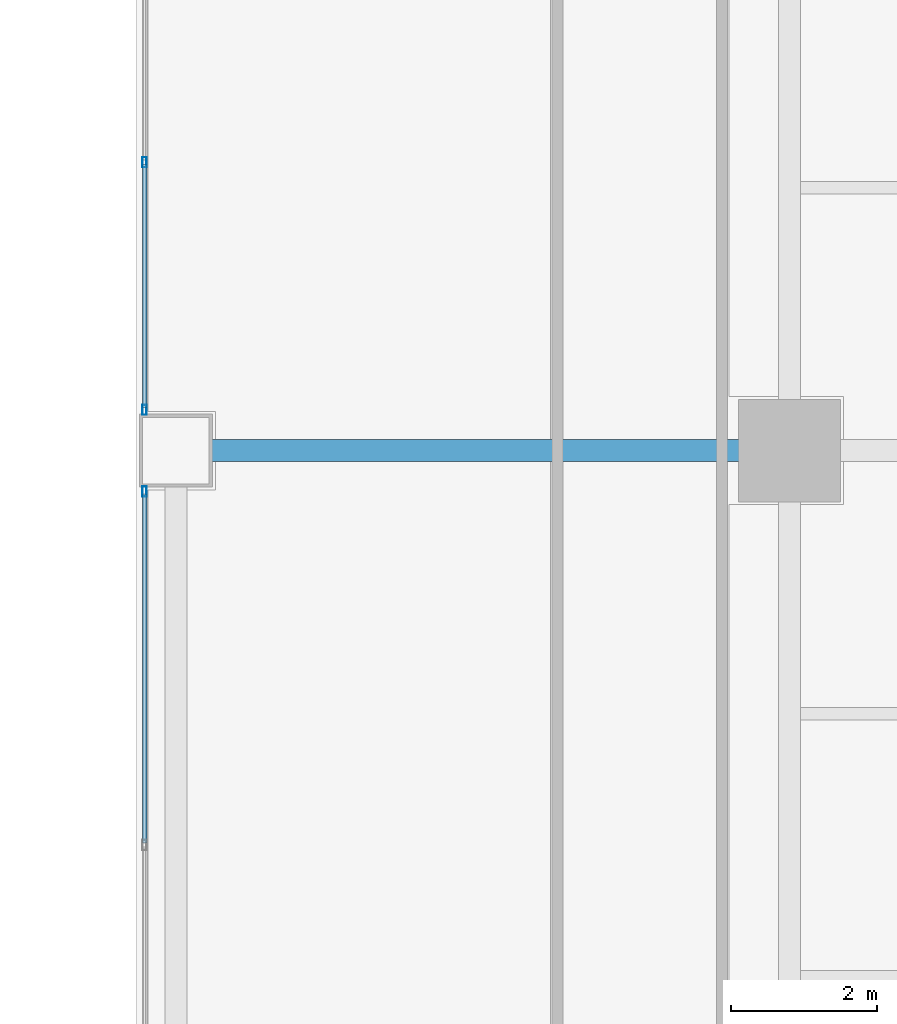
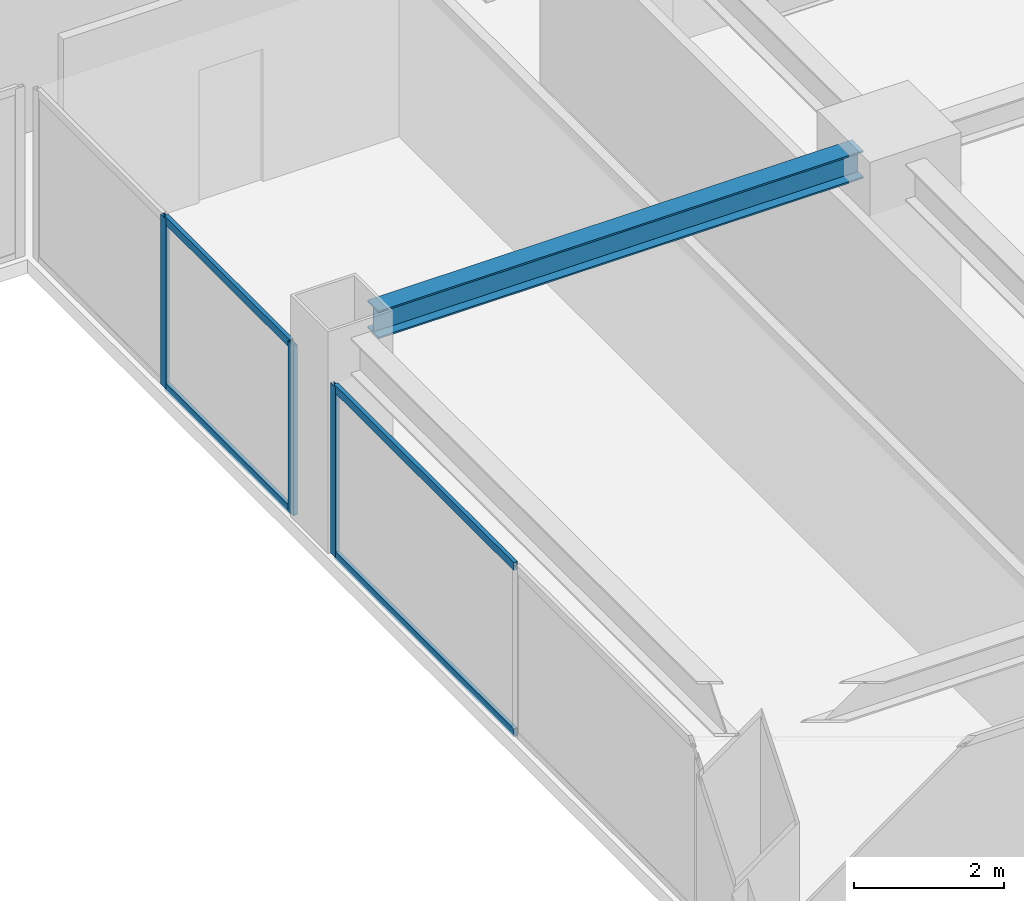
# One storey, part 14 of 29: 7 members, 1 beam, 2 elements without a shape of their own.
"""IFC4 building model written with IfcOpenShell, lengths in metres."""

from ifc_helpers import new_model, si_unit, direction, frame, origin, origin_2d, place, context, subcontext, project, spatial, hollow_rectangle, i_section, extrude, source, transform, mapped, material, layer, layer_set, material_profile, profile_set, type_object, element, aggregate, save


model = new_model("IFC4")

# Units and contexts
model_context = context("Model", 3, precision=1e-05, world=origin(), true_north=direction((0.0, 1.0)))
body_context = subcontext(model_context, "Body", "Model", "MODEL_VIEW")
ifc_project = project(units=[si_unit("LENGTHUNIT", "METRE"), si_unit("AREAUNIT", "SQUARE_METRE"), si_unit("VOLUMEUNIT", "CUBIC_METRE"), si_unit("PLANEANGLEUNIT", "RADIAN"), si_unit("MASSUNIT", "GRAM", prefix="KILO")], contexts=[model_context])

# Site, building, storey
site_placement = place(None, origin())
site = spatial("IfcSite", under=ifc_project, at=site_placement, CompositionType="ELEMENT")
building_placement = place(site_placement, origin())
building = spatial("IfcBuilding", under=site, at=building_placement, Name="Sumidabori Civic Tower", CompositionType="ELEMENT")
storey_placement = place(building_placement, frame((0.0, 0.0, 214.39990234375)))
storey = spatial("IfcBuildingStorey", under=building, at=storey_placement, Name="L55", CompositionType="ELEMENT", Elevation=214.39990234375)

# Beam
ifc_material_1 = material(Name="Steel SN490", Category="steel")
ifc_material_profile_1 = material_profile(ifc_material_1, i_section(OverallWidth=0.300048828125, OverallDepth=0.449951171875, WebThickness=0.013916015625, FlangeThickness=0.02587890625, at=origin_2d()), Name="HE 450 B")
ifc_profile_set_1 = profile_set([ifc_material_profile_1], Name="Steel SN490")
beam_type = type_object("IfcBeamType", Name="BM-GIRD-450", PredefinedType="BEAM", material=ifc_profile_set_1)
shared_shape_1 = source(origin(), body_context, "Body", "SweptSolid", [
    extrude(i_section(OverallWidth=0.300048828125, OverallDepth=0.449951171875, WebThickness=0.013916015625, FlangeThickness=0.02587890625, at=origin_2d()), origin(), (0.0, 0.0, 1.0), 7.440185546875),
])
beam_placement = place(storey_placement, frame((8.8798828125, 0.0, 3.155029296875), z_axis=(1.0, 0.0, 0.0), x_axis=(0.0, 1.0, 0.0)))
element("IfcBeam", 1, at=beam_placement, inside=storey, type_object=beam_type, Name="Primary Girder L55 GX-07", PredefinedType="BEAM", context=body_context, shape_type="MappedRepresentation", body=[
    mapped(shared_shape_1, transform((0.0, 0.0, 0.0), x_axis=(1.0, 0.0, 0.0), y_axis=(0.0, 1.0, 0.0), z_axis=(0.0, 0.0, 1.0), scale=1.0)),
])

# Curtain wall, members
ifc_material_2 = material(Name="Anodised Bronze Aluminium AW-6063-T6", Category="aluminium")
ifc_layer = layer(ifc_material_2, 0.179931640625, Name="Anodised Bronze Aluminium AW-6063-T6")
ifc_layer_set = layer_set([ifc_layer], Name="Anodised Bronze Aluminium AW-6063-T6")
curtain_wall_type = type_object("IfcCurtainWallType", Name="CW-SYS-4", PredefinedType="NOTDEFINED", material=ifc_layer_set)
curtain_wall_1_placement = place(storey_placement, origin())
curtain_wall_1 = element("IfcCurtainWall", 2, at=curtain_wall_1_placement, inside=storey, type_object=curtain_wall_type, Name="Curtain Wall CW:L55:R06", PredefinedType="NOTDEFINED")
ifc_material_profile_2 = material_profile(ifc_material_2, hollow_rectangle(XDim=0.06005859375, YDim=0.139892578125, WallThickness=0.0048828125, at=origin_2d()), Name="ALU MULLION 140x60")
ifc_profile_set_2 = profile_set([ifc_material_profile_2], Name="Anodised Bronze Aluminium AW-6063-T6")
member_type_1 = type_object("IfcMemberType", Name="CW-MUL-140", PredefinedType="MULLION", material=ifc_profile_set_2)
shared_shape_2 = source(origin(), body_context, "Body", "SweptSolid", [
    extrude(hollow_rectangle(XDim=0.06005859375, YDim=0.139892578125, WallThickness=0.0048828125, at=origin_2d()), origin(), (0.0, 0.0, 1.0), 2.760009765625),
])
member_1_placement = place(storey_placement, frame((7.969970703125, 3.949951171875, 0.0), z_axis=(0.0, 0.0, 1.0), x_axis=(1.0, 0.0, 0.0)))
member_1 = element("IfcMember", 3, at=member_1_placement, type_object=member_type_1, Name="CW-4 mullion 2", PredefinedType="MULLION", context=body_context, shape_type="MappedRepresentation", body=[
    mapped(shared_shape_2, transform((0.0, 0.0, 0.0), x_axis=(1.0, 0.0, 0.0), y_axis=(0.0, 1.0, 0.0), z_axis=(0.0, 0.0, 1.0), scale=1.0)),
])
member_2_placement = place(storey_placement, frame((7.969970703125, 0.56005859375, 0.0), z_axis=(0.0, 0.0, 1.0), x_axis=(1.0, 0.0, 0.0)))
member_2 = element("IfcMember", 4, at=member_2_placement, type_object=member_type_1, Name="CW-4 mullion 3", PredefinedType="MULLION", context=body_context, shape_type="MappedRepresentation", body=[
    mapped(shared_shape_2, transform((0.0, 0.0, 0.0), x_axis=(1.0, 0.0, 0.0), y_axis=(0.0, 1.0, 0.0), z_axis=(0.0, 0.0, 1.0), scale=1.0)),
])

curtain_wall_2_placement = place(storey_placement, origin())
curtain_wall_2 = element("IfcCurtainWall", 5, at=curtain_wall_2_placement, inside=storey, type_object=curtain_wall_type, Name="Curtain Wall CW:L55:R07", PredefinedType="NOTDEFINED")
member_3_placement = place(storey_placement, frame((7.969970703125, -0.56005859375, 0.0), z_axis=(0.0, 0.0, 1.0), x_axis=(1.0, 0.0, 0.0)))
member_3 = element("IfcMember", 6, at=member_3_placement, type_object=member_type_1, Name="CW-4 mullion 1", PredefinedType="MULLION", context=body_context, shape_type="MappedRepresentation", body=[
    mapped(shared_shape_2, transform((0.0, 0.0, 0.0), x_axis=(1.0, 0.0, 0.0), y_axis=(0.0, 1.0, 0.0), z_axis=(0.0, 0.0, 1.0), scale=1.0)),
])
ifc_material_profile_3 = material_profile(ifc_material_2, hollow_rectangle(XDim=0.06005859375, YDim=0.1298828125, WallThickness=0.0048828125, at=origin_2d()), Name="ALU TRANSOM 130x60")
ifc_profile_set_3 = profile_set([ifc_material_profile_3], Name="Anodised Bronze Aluminium AW-6063-T6")
member_type_2 = type_object("IfcMemberType", Name="CW-TRN-130", PredefinedType="USERDEFINED", material=ifc_profile_set_3)
shared_shape_3 = source(origin(), body_context, "Body", "SweptSolid", [
    extrude(hollow_rectangle(XDim=0.06005859375, YDim=0.1298828125, WallThickness=0.0048828125, at=origin_2d()), origin(), (0.0, 0.0, 1.0), 4.780029296875),
])
member_4_placement = place(storey_placement, frame((7.969970703125, -0.590087890625, 0.030029296875), z_axis=(0.0, -1.0, 0.0), x_axis=(1.0, 0.0, 0.0)))
member_4 = element("IfcMember", 7, at=member_4_placement, type_object=member_type_2, Name="CW-4 transom 1.1", ObjectType="TRANSOM", PredefinedType="USERDEFINED", context=body_context, shape_type="MappedRepresentation", body=[
    mapped(shared_shape_3, transform((0.0, 0.0, 0.0), x_axis=(1.0, 0.0, 0.0), y_axis=(0.0, 1.0, 0.0), z_axis=(0.0, 0.0, 1.0), scale=1.0)),
])
member_5_placement = place(storey_placement, frame((7.969970703125, -0.590087890625, 2.72998046875), z_axis=(0.0, -1.0, 0.0), x_axis=(1.0, 0.0, 0.0)))
member_5 = element("IfcMember", 8, at=member_5_placement, type_object=member_type_2, Name="CW-4 transom 1.2", ObjectType="TRANSOM", PredefinedType="USERDEFINED", context=body_context, shape_type="MappedRepresentation", body=[
    mapped(shared_shape_3, transform((0.0, 0.0, 0.0), x_axis=(1.0, 0.0, 0.0), y_axis=(0.0, 1.0, 0.0), z_axis=(0.0, 0.0, 1.0), scale=1.0)),
])
aggregate(curtain_wall_2, [member_3, member_4, member_5])

# Member
shared_shape_4 = source(origin(), body_context, "Body", "SweptSolid", [
    extrude(hollow_rectangle(XDim=0.06005859375, YDim=0.1298828125, WallThickness=0.0048828125, at=origin_2d()), origin(), (0.0, 0.0, 1.0), 3.329833984375),
])
member_6_placement = place(storey_placement, frame((7.969970703125, 3.919921875, 0.030029296875), z_axis=(0.0, -1.0, 0.0), x_axis=(1.0, 0.0, 0.0)))
member_6 = element("IfcMember", 9, at=member_6_placement, type_object=member_type_2, Name="CW-4 transom 2.1", ObjectType="TRANSOM", PredefinedType="USERDEFINED", context=body_context, shape_type="MappedRepresentation", body=[
    mapped(shared_shape_4, transform((0.0, 0.0, 0.0), x_axis=(1.0, 0.0, 0.0), y_axis=(0.0, 1.0, 0.0), z_axis=(0.0, 0.0, 1.0), scale=1.0)),
])

member_7_placement = place(storey_placement, frame((7.969970703125, 3.919921875, 2.72998046875), z_axis=(0.0, -1.0, 0.0), x_axis=(1.0, 0.0, 0.0)))
member_7 = element("IfcMember", 10, at=member_7_placement, type_object=member_type_2, Name="CW-4 transom 2.2", ObjectType="TRANSOM", PredefinedType="USERDEFINED", context=body_context, shape_type="MappedRepresentation", body=[
    mapped(shared_shape_4, transform((0.0, 0.0, 0.0), x_axis=(1.0, 0.0, 0.0), y_axis=(0.0, 1.0, 0.0), z_axis=(0.0, 0.0, 1.0), scale=1.0)),
])

aggregate(curtain_wall_1, [member_1, member_2, member_6, member_7])

save(model, "model.ifc")
